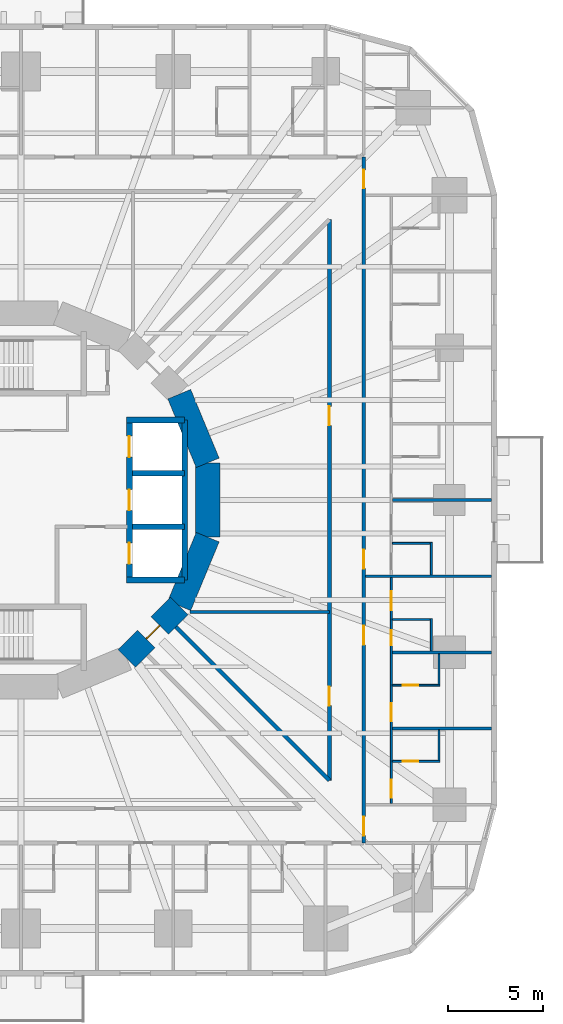
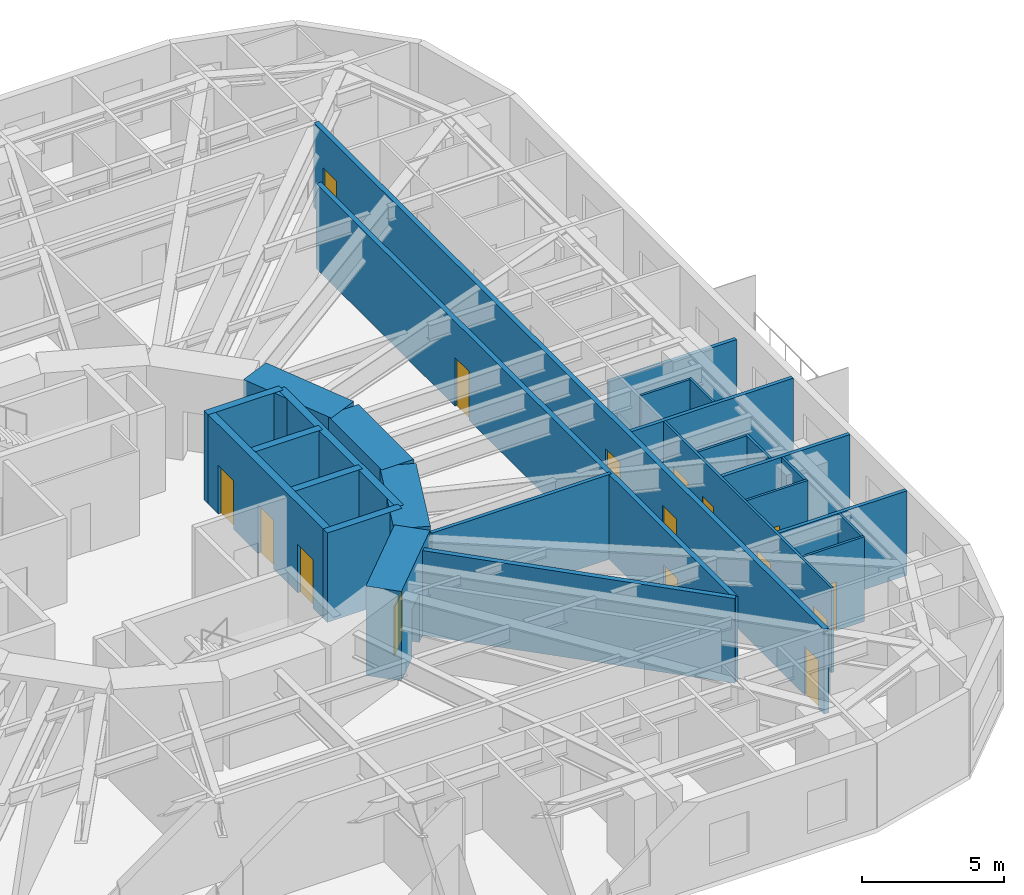
# One storey, part 8 of 14: 27 walls, 16 doors, 16 openings.
"""IFC4 building model written with IfcOpenShell, lengths in metres."""

from ifc_helpers import new_model, si_unit, direction, frame, frame_2d, origin, place, context, subcontext, project, spatial, rectangle, extrude, material, layer, layer_set, type_object, element, fill, save


model = new_model("IFC4")

# Units and contexts
model_context = context("Model", 3, precision=1e-05, world=origin(), true_north=direction((0.0, 1.0)))
body_context = subcontext(model_context, "Body", "Model", "MODEL_VIEW")
ifc_project = project(units=[si_unit("LENGTHUNIT", "METRE"), si_unit("AREAUNIT", "SQUARE_METRE"), si_unit("VOLUMEUNIT", "CUBIC_METRE"), si_unit("PLANEANGLEUNIT", "RADIAN"), si_unit("MASSUNIT", "GRAM", prefix="KILO")], contexts=[model_context])

# Site, building, storey
site_placement = place(None, origin())
site = spatial("IfcSite", under=ifc_project, at=site_placement, CompositionType="ELEMENT")
building_placement = place(site_placement, origin())
building = spatial("IfcBuilding", under=site, at=building_placement, Name="Nakasero Lantern House", CompositionType="ELEMENT")
storey_placement = place(building_placement, frame((0.0, 0.0, 50.64990234375)))
storey = spatial("IfcBuildingStorey", under=building, at=storey_placement, Name="L12", CompositionType="ELEMENT", Elevation=50.64990234375)

# Wall, openings, doors
ifc_material_1 = material(Name="Blockwork", Category="masonry")
ifc_layer_1 = layer(ifc_material_1, 0.10009765625)
ifc_layer_set_1 = layer_set([ifc_layer_1], Name="Cluster hall wall 100")
wall_type_1 = type_object("IfcWallType", Name="Cluster hall wall 100", PredefinedType="PARTITIONING", material=ifc_layer_set_1)
wall_1_placement = place(storey_placement, frame((19.449951171875, -15.925048828125, 0.0), z_axis=(0.0, 0.0, 1.0), x_axis=(0.0, 1.0, 0.0)))
wall_1 = element("IfcWall", 1, at=wall_1_placement, inside=storey, type_object=wall_type_1, Name="Cluster hall wall L12 HW0-0", PredefinedType="PARTITIONING", context=body_context, shape_type="SweptSolid", body=[
    extrude(rectangle(XDim=11.85009765625, YDim=0.10009765625, at=frame_2d((5.925048828125, 0.0))), origin(), (0.0, 0.0, 1.0), 3.650146484375),
])
opening_1_placement = place(wall_1_placement, frame((10.125, 0.0, 0.0)))
opening_1 = element("IfcOpeningElement", 2, at=opening_1_placement, cuts=wall_1, Name="Opening D03", PredefinedType="OPENING", context=body_context, shape_type="SweptSolid", body=[
    extrude(rectangle(XDim=1.0, YDim=2.10009765625, at=frame_2d((0.5, 1.050048828125))), frame((0.0, 0.070068359375, 0.0), z_axis=(0.0, -1.0, 0.0), x_axis=(1.0, 0.0, 0.0)), (0.0, 0.0, 1.0), 0.14013671875),
])
opening_2_placement = place(wall_1_placement, frame((8.300048828125, 0.0, 0.0)))
opening_2 = element("IfcOpeningElement", 3, at=opening_2_placement, cuts=wall_1, Name="Opening D02", PredefinedType="OPENING", context=body_context, shape_type="SweptSolid", body=[
    extrude(rectangle(XDim=0.800048828125, YDim=2.10009765625, at=frame_2d((0.39990234375, 1.050048828125))), frame((0.0, 0.070068359375, 0.0), z_axis=(0.0, -1.0, 0.0), x_axis=(1.0, 0.0, 0.0)), (0.0, 0.0, 1.0), 0.14013671875),
])
opening_3_placement = place(wall_1_placement, frame((0.300048828125, 0.0, 0.0)))
opening_3 = element("IfcOpeningElement", 4, at=opening_3_placement, cuts=wall_1, Name="Opening D01", PredefinedType="OPENING", context=body_context, shape_type="SweptSolid", body=[
    extrude(rectangle(XDim=0.949951171875, YDim=2.10009765625, at=frame_2d((0.47509765625, 1.050048828125))), frame((0.0, 0.070068359375, 0.0), z_axis=(0.0, -1.0, 0.0), x_axis=(1.0, 0.0, 0.0)), (0.0, 0.0, 1.0), 0.14013671875),
])
opening_4_placement = place(wall_1_placement, frame((4.300048828125, 0.0, 0.0)))
opening_4 = element("IfcOpeningElement", 5, at=opening_4_placement, cuts=wall_1, Name="Opening D01", PredefinedType="OPENING", context=body_context, shape_type="SweptSolid", body=[
    extrude(rectangle(XDim=0.949951171875, YDim=2.10009765625, at=frame_2d((0.47509765625, 1.050048828125))), frame((0.0, 0.070068359375, 0.0), z_axis=(0.0, -1.0, 0.0), x_axis=(1.0, 0.0, 0.0)), (0.0, 0.0, 1.0), 0.14013671875),
])
ifc_material_2 = material(Name="Timber C24", Category="wood")
door_type_1 = type_object("IfcDoorType", Name="Bedroom door FD30S 950", OperationType="SINGLE_SWING_LEFT", PredefinedType="DOOR", material=ifc_material_2)
door_1_placement = place(opening_3_placement, origin())
door_1 = element("IfcDoor", 6, at=door_1_placement, inside=storey, type_object=door_type_1, Name="Door L12 D0-01", OperationType="SINGLE_SWING_LEFT", OverallHeight=2.10009765625, OverallWidth=0.949951171875, PredefinedType="DOOR", context=body_context, shape_type="SweptSolid", body=[
    extrude(rectangle(XDim=0.949951171875, YDim=2.10009765625, at=frame_2d((0.47509765625, 1.050048828125))), frame((0.0, 0.02490234375, 0.0), z_axis=(0.0, -1.0, 0.0), x_axis=(1.0, 0.0, 0.0)), (0.0, 0.0, 1.0), 0.050048828125),
])
fill(opening_3, door_1)
door_2_placement = place(opening_4_placement, origin())
door_2 = element("IfcDoor", 7, at=door_2_placement, inside=storey, type_object=door_type_1, Name="Door L12 D0-02", OperationType="SINGLE_SWING_LEFT", OverallHeight=2.10009765625, OverallWidth=0.949951171875, PredefinedType="DOOR", context=body_context, shape_type="SweptSolid", body=[
    extrude(rectangle(XDim=0.949951171875, YDim=2.10009765625, at=frame_2d((0.47509765625, 1.050048828125))), frame((0.0, 0.02490234375, 0.0), z_axis=(0.0, -1.0, 0.0), x_axis=(1.0, 0.0, 0.0)), (0.0, 0.0, 1.0), 0.050048828125),
])
fill(opening_4, door_2)
ifc_material_3 = material(Name="Timber C24", Category="wood")
door_type_2 = type_object("IfcDoorType", Name="En-suite door 800", OperationType="SINGLE_SWING_RIGHT", PredefinedType="DOOR", material=ifc_material_3)
door_3_placement = place(opening_2_placement, origin())
door_3 = element("IfcDoor", 8, at=door_3_placement, inside=storey, type_object=door_type_2, Name="Door L12 DSH0-0", OperationType="SINGLE_SWING_RIGHT", OverallHeight=2.10009765625, OverallWidth=0.800048828125, PredefinedType="DOOR", context=body_context, shape_type="SweptSolid", body=[
    extrude(rectangle(XDim=0.800048828125, YDim=2.10009765625, at=frame_2d((0.39990234375, 1.050048828125))), frame((0.0, 0.02490234375, 0.0), z_axis=(0.0, -1.0, 0.0), x_axis=(1.0, 0.0, 0.0)), (0.0, 0.0, 1.0), 0.050048828125),
])
fill(opening_2, door_3)
ifc_material_4 = material(Name="Timber C24", Category="wood")
door_type_3 = type_object("IfcDoorType", Name="Lounge door FD30S 1000", OperationType="SINGLE_SWING_LEFT", PredefinedType="DOOR", material=ifc_material_4)
door_4_placement = place(opening_1_placement, origin())
door_4 = element("IfcDoor", 9, at=door_4_placement, inside=storey, type_object=door_type_3, Name="Door L12 DH0-0", OperationType="SINGLE_SWING_RIGHT", OverallHeight=2.10009765625, OverallWidth=1.0, PredefinedType="DOOR", context=body_context, shape_type="SweptSolid", body=[
    extrude(rectangle(XDim=1.0, YDim=2.10009765625, at=frame_2d((0.5, 1.050048828125))), frame((0.0, 0.02490234375, 0.0), z_axis=(0.0, -1.0, 0.0), x_axis=(1.0, 0.0, 0.0)), (0.0, 0.0, 1.0), 0.050048828125),
])
fill(opening_1, door_4)

ifc_material_5 = material(Name="Concrete C50/60", Category="concrete")
ifc_layer_2 = layer(ifc_material_5, 0.300048828125)
ifc_layer_set_2 = layer_set([ifc_layer_2], Name="Core inner wall 300")
wall_type_2 = type_object("IfcWallType", Name="Core inner wall 300", PredefinedType="SHEAR", material=ifc_layer_set_2)
wall_2_placement = place(storey_placement, frame((5.699951171875, -4.199951171875, 0.0), z_axis=(0.0, 0.0, 1.0), x_axis=(0.0, 1.0, 0.0)))
wall_2 = element("IfcWall", 10, at=wall_2_placement, inside=storey, type_object=wall_type_2, Name="Core inner wall L12 LE", PredefinedType="SHEAR", context=body_context, shape_type="SweptSolid", body=[
    extrude(rectangle(XDim=8.39990234375, YDim=0.300048828125, at=frame_2d((4.199951171875, 0.0))), origin(), (0.0, 0.0, 1.0), 3.85009765625),
])
opening_5_placement = place(wall_2_placement, frame((0.85009765625, 0.0, 0.0)))
opening_5 = element("IfcOpeningElement", 11, at=opening_5_placement, cuts=wall_2, Name="Opening LD", PredefinedType="OPENING", context=body_context, shape_type="SweptSolid", body=[
    extrude(rectangle(XDim=1.10009765625, YDim=2.10009765625, at=frame_2d((0.550048828125, 1.050048828125))), frame((0.0, 0.169921875, 0.0), z_axis=(0.0, -1.0, 0.0), x_axis=(1.0, 0.0, 0.0)), (0.0, 0.0, 1.0), 0.340087890625),
])
opening_6_placement = place(wall_2_placement, frame((3.64990234375, 0.0, 0.0)))
opening_6 = element("IfcOpeningElement", 12, at=opening_6_placement, cuts=wall_2, Name="Opening LD", PredefinedType="OPENING", context=body_context, shape_type="SweptSolid", body=[
    extrude(rectangle(XDim=1.10009765625, YDim=2.10009765625, at=frame_2d((0.550048828125, 1.050048828125))), frame((0.0, 0.169921875, 0.0), z_axis=(0.0, -1.0, 0.0), x_axis=(1.0, 0.0, 0.0)), (0.0, 0.0, 1.0), 0.340087890625),
])
opening_7_placement = place(wall_2_placement, frame((6.449951171875, 0.0, 0.0)))
opening_7 = element("IfcOpeningElement", 13, at=opening_7_placement, cuts=wall_2, Name="Opening LD", PredefinedType="OPENING", context=body_context, shape_type="SweptSolid", body=[
    extrude(rectangle(XDim=1.10009765625, YDim=2.10009765625, at=frame_2d((0.550048828125, 1.050048828125))), frame((0.0, 0.169921875, 0.0), z_axis=(0.0, -1.0, 0.0), x_axis=(1.0, 0.0, 0.0)), (0.0, 0.0, 1.0), 0.340087890625),
])
ifc_material_6 = material(Name="Steel S355", Category="steel")
door_type_4 = type_object("IfcDoorType", Name="Lift landing door E120 1100", OperationType="SLIDING_TO_LEFT", PredefinedType="DOOR", material=ifc_material_6)
door_5_placement = place(opening_5_placement, origin())
door_5 = element("IfcDoor", 14, at=door_5_placement, inside=storey, type_object=door_type_4, Name="Lift landing door LE1", OperationType="SLIDING_TO_LEFT", OverallHeight=2.10009765625, OverallWidth=1.10009765625, PredefinedType="DOOR", context=body_context, shape_type="SweptSolid", body=[
    extrude(rectangle(XDim=1.10009765625, YDim=2.10009765625, at=frame_2d((0.550048828125, 1.050048828125))), frame((0.0, 0.02490234375, 0.0), z_axis=(0.0, -1.0, 0.0), x_axis=(1.0, 0.0, 0.0)), (0.0, 0.0, 1.0), 0.050048828125),
])
fill(opening_5, door_5)
door_6_placement = place(opening_6_placement, origin())
door_6 = element("IfcDoor", 15, at=door_6_placement, inside=storey, type_object=door_type_4, Name="Lift landing door LE2", OperationType="SLIDING_TO_LEFT", OverallHeight=2.10009765625, OverallWidth=1.10009765625, PredefinedType="DOOR", context=body_context, shape_type="SweptSolid", body=[
    extrude(rectangle(XDim=1.10009765625, YDim=2.10009765625, at=frame_2d((0.550048828125, 1.050048828125))), frame((0.0, 0.02490234375, 0.0), z_axis=(0.0, -1.0, 0.0), x_axis=(1.0, 0.0, 0.0)), (0.0, 0.0, 1.0), 0.050048828125),
])
fill(opening_6, door_6)
door_7_placement = place(opening_7_placement, origin())
door_7 = element("IfcDoor", 16, at=door_7_placement, inside=storey, type_object=door_type_4, Name="Lift landing door LE3", OperationType="SLIDING_TO_LEFT", OverallHeight=2.10009765625, OverallWidth=1.10009765625, PredefinedType="DOOR", context=body_context, shape_type="SweptSolid", body=[
    extrude(rectangle(XDim=1.10009765625, YDim=2.10009765625, at=frame_2d((0.550048828125, 1.050048828125))), frame((0.0, 0.02490234375, 0.0), z_axis=(0.0, -1.0, 0.0), x_axis=(1.0, 0.0, 0.0)), (0.0, 0.0, 1.0), 0.050048828125),
])
fill(opening_7, door_7)

# Walls
for number, where, z_axis, x_axis, name in (
    (17, (5.550048828125, 4.199951171875, 0.0), (0.0, 0.0, 1.0), (1.0, 0.0, 0.0), "Core inner wall L12 LEN"),
    (18, (5.550048828125, -4.199951171875, 0.0), (0.0, 0.0, 1.0), (1.0, 0.0, 0.0), "Core inner wall L12 LES"),
):
    element("IfcWall", number, at=place(storey_placement, frame(where, z_axis=z_axis, x_axis=x_axis)), inside=storey, type_object=wall_type_2, Name=name, PredefinedType="SHEAR", context=body_context, shape_type="SweptSolid", body=[
        extrude(rectangle(XDim=3.050048828125, YDim=0.300048828125, at=frame_2d((1.52490234375, 0.0))), origin(), (0.0, 0.0, 1.0), 3.85009765625),
    ])
wall_3_placement = place(storey_placement, frame((8.60009765625, -4.199951171875, 0.0), z_axis=(0.0, 0.0, 1.0), x_axis=(0.0, 1.0, 0.0)))
element("IfcWall", 19, at=wall_3_placement, inside=storey, type_object=wall_type_2, Name="Core inner wall L12 LEB", PredefinedType="SHEAR", context=body_context, shape_type="SweptSolid", body=[
    extrude(rectangle(XDim=8.39990234375, YDim=0.300048828125, at=frame_2d((4.199951171875, 0.0))), origin(), (0.0, 0.0, 1.0), 3.85009765625),
])
for number, where, z_axis, x_axis, name in (
    (20, (5.85009765625, -1.39990234375, 0.0), (0.0, 0.0, 1.0), (1.0, 0.0, 0.0), "Core inner wall L12 LE1"),
    (21, (5.85009765625, 1.39990234375, 0.0), (0.0, 0.0, 1.0), (1.0, 0.0, 0.0), "Core inner wall L12 LE2"),
):
    element("IfcWall", number, at=place(storey_placement, frame(where, z_axis=z_axis, x_axis=x_axis)), inside=storey, type_object=wall_type_2, Name=name, PredefinedType="SHEAR", context=body_context, shape_type="SweptSolid", body=[
        extrude(rectangle(XDim=2.75, YDim=0.300048828125, at=frame_2d((1.375, 0.0))), origin(), (0.0, 0.0, 1.0), 3.85009765625),
    ])
ifc_material_7 = material(Name="Concrete C50/60", Category="concrete")
ifc_layer_3 = layer(ifc_material_7, 1.300048828125)
ifc_layer_set_3 = layer_set([ifc_layer_3], Name="Core wall 1300")
wall_type_3 = type_object("IfcWallType", Name="Core wall 1300", PredefinedType="SHEAR", material=ifc_layer_set_3)
wall_4_placement = place(storey_placement, frame((9.807861328125, 1.950927734375, 0.0), z_axis=(0.0, 0.0, 1.0), x_axis=(-0.382690736062, 0.923876507187, 0.0)))
element("IfcWall", 22, at=wall_4_placement, inside=storey, type_object=wall_type_3, Name="Core wall L12 facet 1", PredefinedType="SHEAR", context=body_context, shape_type="SweptSolid", body=[
    extrude(rectangle(XDim=3.90185546875, YDim=1.300048828125, at=frame_2d((1.950927734375, 0.0))), origin(), (0.0, 0.0, 1.0), 3.85009765625),
])

# Wall, opening, door
wall_5_placement = place(storey_placement, frame((5.5556640625, -8.314697265625, 0.0), z_axis=(0.0, 0.0, 1.0), x_axis=(0.707106781187, 0.707106781187, 0.0)))
wall_5 = element("IfcWall", 23, at=wall_5_placement, inside=storey, type_object=wall_type_3, Name="Core wall L12 facet 14", PredefinedType="SHEAR", context=body_context, shape_type="SweptSolid", body=[
    extrude(rectangle(XDim=3.90185546875, YDim=1.300048828125, at=frame_2d((1.950927734375, 0.0))), origin(), (0.0, 0.0, 1.0), 3.85009765625),
])
opening_8_placement = place(wall_5_placement, frame((1.450927734375, 0.0, 0.0)))
opening_8 = element("IfcOpeningElement", 24, at=opening_8_placement, cuts=wall_5, Name="Opening D05", PredefinedType="OPENING", context=body_context, shape_type="SweptSolid", body=[
    extrude(rectangle(XDim=1.0, YDim=2.10009765625, at=frame_2d((0.5, 1.050048828125))), frame((0.0, 0.669921875, 0.0), z_axis=(0.0, -1.0, 0.0), x_axis=(1.0, 0.0, 0.0)), (0.0, 0.0, 1.0), 1.340087890625),
])
ifc_material_8 = material(Name="Timber C24", Category="wood")
door_type_5 = type_object("IfcDoorType", Name="Core door FD60S 1000", OperationType="SINGLE_SWING_LEFT", PredefinedType="DOOR", material=ifc_material_8)
door_8_placement = place(opening_8_placement, origin())
door_8 = element("IfcDoor", 25, at=door_8_placement, inside=storey, type_object=door_type_5, Name="Door L12 D-CORE14", OperationType="SINGLE_SWING_LEFT", OverallHeight=2.10009765625, OverallWidth=1.0, PredefinedType="DOOR", context=body_context, shape_type="SweptSolid", body=[
    extrude(rectangle(XDim=1.0, YDim=2.10009765625, at=frame_2d((0.5, 1.050048828125))), frame((0.0, 0.02490234375, 0.0), z_axis=(0.0, -1.0, 0.0), x_axis=(1.0, 0.0, 0.0)), (0.0, 0.0, 1.0), 0.050048828125),
])
fill(opening_8, door_8)

# Walls
for number, where, z_axis, x_axis, name in (
    (26, (8.314697265625, -5.5556640625, 0.0), (0.0, 0.0, 1.0), (0.382690736062, 0.923876507187, 0.0), "Core wall L12 facet 15"),
    (27, (9.807861328125, -1.950927734375, 0.0), (0.0, 0.0, 1.0), (0.0, 1.0, 0.0), "Core wall L12 facet 16"),
):
    element("IfcWall", number, at=place(storey_placement, frame(where, z_axis=z_axis, x_axis=x_axis)), inside=storey, type_object=wall_type_3, Name=name, PredefinedType="SHEAR", context=body_context, shape_type="SweptSolid", body=[
        extrude(rectangle(XDim=3.90185546875, YDim=1.300048828125, at=frame_2d((1.950927734375, 0.0))), origin(), (0.0, 0.0, 1.0), 3.85009765625),
    ])

# Wall, openings, doors
ifc_material_9 = material(Name="Blockwork", Category="masonry")
ifc_layer_4 = layer(ifc_material_9, 0.199951171875)
ifc_layer_set_4 = layer_set([ifc_layer_4], Name="Corridor wall 200")
wall_type_4 = type_object("IfcWallType", Name="Corridor wall 200", PredefinedType="PARTITIONING", material=ifc_layer_set_4)
wall_6_placement = place(storey_placement, frame((18.0, -18.0, 0.0), z_axis=(0.0, 0.0, 1.0), x_axis=(0.0, 1.0, 0.0)))
wall_6 = element("IfcWall", 28, at=wall_6_placement, inside=storey, type_object=wall_type_4, Name="Corridor wall L12 CW0", PredefinedType="PARTITIONING", context=body_context, shape_type="SweptSolid", body=[
    extrude(rectangle(XDim=36.0, YDim=0.199951171875, at=frame_2d((18.0, 0.0))), origin(), (0.0, 0.0, 1.0), 3.650146484375),
])
opening_9_placement = place(wall_6_placement, frame((10.39990234375, 0.0, 0.0)))
opening_9 = element("IfcOpeningElement", 29, at=opening_9_placement, cuts=wall_6, Name="Opening D14", PredefinedType="OPENING", context=body_context, shape_type="SweptSolid", body=[
    extrude(rectangle(XDim=1.0, YDim=2.10009765625, at=frame_2d((0.5, 1.050048828125))), frame((0.0, 0.119873046875, 0.0), z_axis=(0.0, -1.0, 0.0), x_axis=(1.0, 0.0, 0.0)), (0.0, 0.0, 1.0), 0.239990234375),
])
opening_10_placement = place(wall_6_placement, frame((14.39990234375, 0.0, 0.0)))
opening_10 = element("IfcOpeningElement", 30, at=opening_10_placement, cuts=wall_6, Name="Opening D14", PredefinedType="OPENING", context=body_context, shape_type="SweptSolid", body=[
    extrude(rectangle(XDim=1.0, YDim=2.10009765625, at=frame_2d((0.5, 1.050048828125))), frame((0.0, 0.119873046875, 0.0), z_axis=(0.0, -1.0, 0.0), x_axis=(1.0, 0.0, 0.0)), (0.0, 0.0, 1.0), 0.239990234375),
])
opening_11_placement = place(wall_6_placement, frame((0.375, 0.0, 0.0)))
opening_11 = element("IfcOpeningElement", 31, at=opening_11_placement, cuts=wall_6, Name="Opening D07", PredefinedType="OPENING", context=body_context, shape_type="SweptSolid", body=[
    extrude(rectangle(XDim=1.0, YDim=2.10009765625, at=frame_2d((0.5, 1.050048828125))), frame((0.0, 0.119873046875, 0.0), z_axis=(0.0, -1.0, 0.0), x_axis=(1.0, 0.0, 0.0)), (0.0, 0.0, 1.0), 0.239990234375),
])
opening_12_placement = place(wall_6_placement, frame((34.375, 0.0, 0.0)))
opening_12 = element("IfcOpeningElement", 32, at=opening_12_placement, cuts=wall_6, Name="Opening D01", PredefinedType="OPENING", context=body_context, shape_type="SweptSolid", body=[
    extrude(rectangle(XDim=0.949951171875, YDim=2.10009765625, at=frame_2d((0.47509765625, 1.050048828125))), frame((0.0, 0.119873046875, 0.0), z_axis=(0.0, -1.0, 0.0), x_axis=(1.0, 0.0, 0.0)), (0.0, 0.0, 1.0), 0.239990234375),
])
door_9_placement = place(opening_12_placement, origin())
door_9 = element("IfcDoor", 33, at=door_9_placement, inside=storey, type_object=door_type_1, Name="Door L12 D0-09", OperationType="SINGLE_SWING_RIGHT", OverallHeight=2.10009765625, OverallWidth=0.949951171875, PredefinedType="DOOR", context=body_context, shape_type="SweptSolid", body=[
    extrude(rectangle(XDim=0.949951171875, YDim=2.10009765625, at=frame_2d((0.47509765625, 1.050048828125))), frame((0.0, 0.02490234375, 0.0), z_axis=(0.0, -1.0, 0.0), x_axis=(1.0, 0.0, 0.0)), (0.0, 0.0, 1.0), 0.050048828125),
])
fill(opening_12, door_9)
ifc_material_10 = material(Name="Timber C24", Category="wood")
door_type_6 = type_object("IfcDoorType", Name="Cluster entrance door FD30S 1000", OperationType="SINGLE_SWING_LEFT", PredefinedType="DOOR", material=ifc_material_10)
door_10_placement = place(opening_9_placement, origin())
door_10 = element("IfcDoor", 34, at=door_10_placement, inside=storey, type_object=door_type_6, Name="Door L12 DF0-0", OperationType="SINGLE_SWING_LEFT", OverallHeight=2.10009765625, OverallWidth=1.0, PredefinedType="DOOR", context=body_context, shape_type="SweptSolid", body=[
    extrude(rectangle(XDim=1.0, YDim=2.10009765625, at=frame_2d((0.5, 1.050048828125))), frame((0.0, 0.02490234375, 0.0), z_axis=(0.0, -1.0, 0.0), x_axis=(1.0, 0.0, 0.0)), (0.0, 0.0, 1.0), 0.050048828125),
])
fill(opening_9, door_10)
door_11_placement = place(opening_10_placement, origin())
door_11 = element("IfcDoor", 35, at=door_11_placement, inside=storey, type_object=door_type_6, Name="Door L12 DF0-1", OperationType="SINGLE_SWING_LEFT", OverallHeight=2.10009765625, OverallWidth=1.0, PredefinedType="DOOR", context=body_context, shape_type="SweptSolid", body=[
    extrude(rectangle(XDim=1.0, YDim=2.10009765625, at=frame_2d((0.5, 1.050048828125))), frame((0.0, 0.02490234375, 0.0), z_axis=(0.0, -1.0, 0.0), x_axis=(1.0, 0.0, 0.0)), (0.0, 0.0, 1.0), 0.050048828125),
])
fill(opening_10, door_11)
ifc_material_11 = material(Name="Timber C24", Category="wood")
door_type_7 = type_object("IfcDoorType", Name="Room door FD30S 1000", OperationType="SINGLE_SWING_LEFT", PredefinedType="DOOR", material=ifc_material_11)
door_12_placement = place(opening_11_placement, origin())
door_12 = element("IfcDoor", 36, at=door_12_placement, inside=storey, type_object=door_type_7, Name="Door L12 D0-00", OperationType="SINGLE_SWING_LEFT", OverallHeight=2.10009765625, OverallWidth=1.0, PredefinedType="DOOR", context=body_context, shape_type="SweptSolid", body=[
    extrude(rectangle(XDim=1.0, YDim=2.10009765625, at=frame_2d((0.5, 1.050048828125))), frame((0.0, 0.02490234375, 0.0), z_axis=(0.0, -1.0, 0.0), x_axis=(1.0, 0.0, 0.0)), (0.0, 0.0, 1.0), 0.050048828125),
])
fill(opening_11, door_12)

wall_7_placement = place(storey_placement, frame((16.199951171875, -14.715087890625, 0.0), z_axis=(0.0, 0.0, 1.0), x_axis=(0.0, 1.0, 0.0)))
wall_7 = element("IfcWall", 37, at=wall_7_placement, inside=storey, type_object=wall_type_4, Name="Corridor wall L12 IW0-0", PredefinedType="PARTITIONING", context=body_context, shape_type="SweptSolid", body=[
    extrude(rectangle(XDim=29.43017578125, YDim=0.199951171875, at=frame_2d((14.715087890625, 0.0))), origin(), (0.0, 0.0, 1.0), 3.650146484375),
])
opening_13_placement = place(wall_7_placement, frame((3.91455078125, 0.0, 0.0)))
opening_13 = element("IfcOpeningElement", 38, at=opening_13_placement, cuts=wall_7, Name="Opening D07", PredefinedType="OPENING", context=body_context, shape_type="SweptSolid", body=[
    extrude(rectangle(XDim=1.0, YDim=2.10009765625, at=frame_2d((0.5, 1.050048828125))), frame((0.0, 0.119873046875, 0.0), z_axis=(0.0, -1.0, 0.0), x_axis=(1.0, 0.0, 0.0)), (0.0, 0.0, 1.0), 0.239990234375),
])
opening_14_placement = place(wall_7_placement, frame((18.629638671875, 0.0, 0.0)))
opening_14 = element("IfcOpeningElement", 39, at=opening_14_placement, cuts=wall_7, Name="Opening D07", PredefinedType="OPENING", context=body_context, shape_type="SweptSolid", body=[
    extrude(rectangle(XDim=1.0, YDim=2.10009765625, at=frame_2d((0.5, 1.050048828125))), frame((0.0, 0.119873046875, 0.0), z_axis=(0.0, -1.0, 0.0), x_axis=(1.0, 0.0, 0.0)), (0.0, 0.0, 1.0), 0.239990234375),
])
door_13_placement = place(opening_13_placement, origin())
door_13 = element("IfcDoor", 40, at=door_13_placement, inside=storey, type_object=door_type_7, Name="Door L12 DI1", OperationType="SINGLE_SWING_LEFT", OverallHeight=2.10009765625, OverallWidth=1.0, PredefinedType="DOOR", context=body_context, shape_type="SweptSolid", body=[
    extrude(rectangle(XDim=1.0, YDim=2.10009765625, at=frame_2d((0.5, 1.050048828125))), frame((0.0, 0.02490234375, 0.0), z_axis=(0.0, -1.0, 0.0), x_axis=(1.0, 0.0, 0.0)), (0.0, 0.0, 1.0), 0.050048828125),
])
fill(opening_13, door_13)
door_14_placement = place(opening_14_placement, origin())
door_14 = element("IfcDoor", 41, at=door_14_placement, inside=storey, type_object=door_type_7, Name="Door L12 DI1S", OperationType="SINGLE_SWING_RIGHT", OverallHeight=2.10009765625, OverallWidth=1.0, PredefinedType="DOOR", context=body_context, shape_type="SweptSolid", body=[
    extrude(rectangle(XDim=1.0, YDim=2.10009765625, at=frame_2d((0.5, 1.050048828125))), frame((0.0, 0.02490234375, 0.0), z_axis=(0.0, -1.0, 0.0), x_axis=(1.0, 0.0, 0.0)), (0.0, 0.0, 1.0), 0.050048828125),
])
fill(opening_14, door_14)

# Walls
wall_8_placement = place(storey_placement, frame((8.13720703125, -6.65234375, 0.0), z_axis=(0.0, 0.0, 1.0), x_axis=(0.707106781187, -0.707106781187, 0.0)))
element("IfcWall", 42, at=wall_8_placement, inside=storey, type_object=wall_type_4, Name="Corridor wall L12 PS14a", PredefinedType="PARTITIONING", context=body_context, shape_type="SweptSolid", body=[
    extrude(rectangle(XDim=11.40234375, YDim=0.199951171875, at=frame_2d((5.701171875, 0.0))), origin(), (0.0, 0.0, 1.0), 3.650146484375),
])
ifc_material_12 = material(Name="Blockwork", Category="masonry")
ifc_layer_5 = layer(ifc_material_12, 0.10009765625)
ifc_layer_set_5 = layer_set([ifc_layer_5], Name="En-suite wall 100")
wall_type_5 = type_object("IfcWallType", Name="En-suite wall 100", PredefinedType="PARTITIONING", material=ifc_layer_set_5)
wall_9_placement = place(storey_placement, frame((19.5, -6.27490234375, 0.0), z_axis=(0.0, 0.0, 1.0), x_axis=(1.0, 0.0, 0.0)))
element("IfcWall", 43, at=wall_9_placement, inside=storey, type_object=wall_type_5, Name="En-suite wall L12 SS0-0", PredefinedType="PARTITIONING", context=body_context, shape_type="SweptSolid", body=[
    extrude(rectangle(XDim=2.10009765625, YDim=0.10009765625, at=frame_2d((1.050048828125, 0.0))), origin(), (0.0, 0.0, 1.0), 3.650146484375),
])
wall_10_placement = place(storey_placement, frame((21.550048828125, -7.925048828125, 0.0), z_axis=(0.0, 0.0, 1.0), x_axis=(0.0, 1.0, 0.0)))
element("IfcWall", 44, at=wall_10_placement, inside=storey, type_object=wall_type_5, Name="En-suite wall L12 SE0-0", PredefinedType="PARTITIONING", context=body_context, shape_type="SweptSolid", body=[
    extrude(rectangle(XDim=1.699951171875, YDim=0.10009765625, at=frame_2d((0.85009765625, 0.0))), origin(), (0.0, 0.0, 1.0), 3.650146484375),
])
wall_11_placement = place(storey_placement, frame((19.5, -2.27490234375, 0.0), z_axis=(0.0, 0.0, 1.0), x_axis=(1.0, 0.0, 0.0)))
element("IfcWall", 45, at=wall_11_placement, inside=storey, type_object=wall_type_5, Name="En-suite wall L12 SS0-1", PredefinedType="PARTITIONING", context=body_context, shape_type="SweptSolid", body=[
    extrude(rectangle(XDim=2.10009765625, YDim=0.10009765625, at=frame_2d((1.050048828125, 0.0))), origin(), (0.0, 0.0, 1.0), 3.650146484375),
])
wall_12_placement = place(storey_placement, frame((21.550048828125, -3.925048828125, 0.0), z_axis=(0.0, 0.0, 1.0), x_axis=(0.0, 1.0, 0.0)))
element("IfcWall", 46, at=wall_12_placement, inside=storey, type_object=wall_type_5, Name="En-suite wall L12 SE0-1", PredefinedType="PARTITIONING", context=body_context, shape_type="SweptSolid", body=[
    extrude(rectangle(XDim=1.699951171875, YDim=0.10009765625, at=frame_2d((0.85009765625, 0.0))), origin(), (0.0, 0.0, 1.0), 3.650146484375),
])

# Wall, opening, door
wall_13_placement = place(storey_placement, frame((19.5, -13.72509765625, 0.0), z_axis=(0.0, 0.0, 1.0), x_axis=(1.0, 0.0, 0.0)))
wall_13 = element("IfcWall", 47, at=wall_13_placement, inside=storey, type_object=wall_type_5, Name="En-suite wall L12 ES0-01", PredefinedType="PARTITIONING", context=body_context, shape_type="SweptSolid", body=[
    extrude(rectangle(XDim=2.5, YDim=0.10009765625, at=frame_2d((1.25, 0.0))), origin(), (0.0, 0.0, 1.0), 3.650146484375),
])
opening_15_placement = place(wall_13_placement, frame((0.550048828125, 0.0, 0.0)))
opening_15 = element("IfcOpeningElement", 48, at=opening_15_placement, cuts=wall_13, Name="Opening D02", PredefinedType="OPENING", context=body_context, shape_type="SweptSolid", body=[
    extrude(rectangle(XDim=0.800048828125, YDim=2.10009765625, at=frame_2d((0.39990234375, 1.050048828125))), frame((0.0, 0.070068359375, 0.0), z_axis=(0.0, -1.0, 0.0), x_axis=(1.0, 0.0, 0.0)), (0.0, 0.0, 1.0), 0.14013671875),
])
door_15_placement = place(opening_15_placement, origin())
door_15 = element("IfcDoor", 49, at=door_15_placement, inside=storey, type_object=door_type_2, Name="Door L12 DE0-01", OperationType="SINGLE_SWING_LEFT", OverallHeight=2.10009765625, OverallWidth=0.800048828125, PredefinedType="DOOR", context=body_context, shape_type="SweptSolid", body=[
    extrude(rectangle(XDim=0.800048828125, YDim=2.10009765625, at=frame_2d((0.39990234375, 1.050048828125))), frame((0.0, 0.02490234375, 0.0), z_axis=(0.0, -1.0, 0.0), x_axis=(1.0, 0.0, 0.0)), (0.0, 0.0, 1.0), 0.050048828125),
])
fill(opening_15, door_15)

# Wall
wall_14_placement = place(storey_placement, frame((21.949951171875, -13.675048828125, 0.0), z_axis=(0.0, 0.0, 1.0), x_axis=(0.0, 1.0, 0.0)))
element("IfcWall", 50, at=wall_14_placement, inside=storey, type_object=wall_type_5, Name="En-suite wall L12 EE0-01", PredefinedType="PARTITIONING", context=body_context, shape_type="SweptSolid", body=[
    extrude(rectangle(XDim=1.60009765625, YDim=0.10009765625, at=frame_2d((0.800048828125, 0.0))), origin(), (0.0, 0.0, 1.0), 3.650146484375),
])

# Wall, opening, door
wall_15_placement = place(storey_placement, frame((19.5, -9.72509765625, 0.0), z_axis=(0.0, 0.0, 1.0), x_axis=(1.0, 0.0, 0.0)))
wall_15 = element("IfcWall", 51, at=wall_15_placement, inside=storey, type_object=wall_type_5, Name="En-suite wall L12 ES0-02", PredefinedType="PARTITIONING", context=body_context, shape_type="SweptSolid", body=[
    extrude(rectangle(XDim=2.5, YDim=0.10009765625, at=frame_2d((1.25, 0.0))), origin(), (0.0, 0.0, 1.0), 3.650146484375),
])
opening_16_placement = place(wall_15_placement, frame((0.550048828125, 0.0, 0.0)))
opening_16 = element("IfcOpeningElement", 52, at=opening_16_placement, cuts=wall_15, Name="Opening D02", PredefinedType="OPENING", context=body_context, shape_type="SweptSolid", body=[
    extrude(rectangle(XDim=0.800048828125, YDim=2.10009765625, at=frame_2d((0.39990234375, 1.050048828125))), frame((0.0, 0.070068359375, 0.0), z_axis=(0.0, -1.0, 0.0), x_axis=(1.0, 0.0, 0.0)), (0.0, 0.0, 1.0), 0.14013671875),
])
door_16_placement = place(opening_16_placement, origin())
door_16 = element("IfcDoor", 53, at=door_16_placement, inside=storey, type_object=door_type_2, Name="Door L12 DE0-02", OperationType="SINGLE_SWING_LEFT", OverallHeight=2.10009765625, OverallWidth=0.800048828125, PredefinedType="DOOR", context=body_context, shape_type="SweptSolid", body=[
    extrude(rectangle(XDim=0.800048828125, YDim=2.10009765625, at=frame_2d((0.39990234375, 1.050048828125))), frame((0.0, 0.02490234375, 0.0), z_axis=(0.0, -1.0, 0.0), x_axis=(1.0, 0.0, 0.0)), (0.0, 0.0, 1.0), 0.050048828125),
])
fill(opening_16, door_16)

# Walls
wall_16_placement = place(storey_placement, frame((21.949951171875, -9.675048828125, 0.0), z_axis=(0.0, 0.0, 1.0), x_axis=(0.0, 1.0, 0.0)))
element("IfcWall", 54, at=wall_16_placement, inside=storey, type_object=wall_type_5, Name="En-suite wall L12 EE0-02", PredefinedType="PARTITIONING", context=body_context, shape_type="SweptSolid", body=[
    extrude(rectangle(XDim=1.60009765625, YDim=0.10009765625, at=frame_2d((0.800048828125, 0.0))), origin(), (0.0, 0.0, 1.0), 3.650146484375),
])
ifc_material_13 = material(Name="Blockwork", Category="masonry")
ifc_layer_6 = layer(ifc_material_13, 0.14990234375)
ifc_layer_set_6 = layer_set([ifc_layer_6], Name="Party wall 150")
wall_type_6 = type_object("IfcWallType", Name="Party wall 150", PredefinedType="PARTITIONING", material=ifc_layer_set_6)
for number, where, z_axis, x_axis, name in (
    (55, (19.5, -12.0, 0.0), (0.0, 0.0, 1.0), (1.0, 0.0, 0.0), "Party wall L12 PW0-02"),
    (56, (19.5, -8.0, 0.0), (0.0, 0.0, 1.0), (1.0, 0.0, 0.0), "Party wall L12 PW0-03"),
):
    element("IfcWall", number, at=place(storey_placement, frame(where, z_axis=z_axis, x_axis=x_axis)), inside=storey, type_object=wall_type_6, Name=name, PredefinedType="PARTITIONING", context=body_context, shape_type="SweptSolid", body=[
        extrude(rectangle(XDim=5.199951171875, YDim=0.14990234375, at=frame_2d((2.60009765625, 0.0))), origin(), (0.0, 0.0, 1.0), 3.650146484375),
    ])
wall_17_placement = place(storey_placement, frame((18.10009765625, -4.0, 0.0), z_axis=(0.0, 0.0, 1.0), x_axis=(1.0, 0.0, 0.0)))
element("IfcWall", 57, at=wall_17_placement, inside=storey, type_object=wall_type_6, Name="Party wall L12 PW0-04", PredefinedType="PARTITIONING", context=body_context, shape_type="SweptSolid", body=[
    extrude(rectangle(XDim=6.599853515625, YDim=0.14990234375, at=frame_2d((3.2998046875, 0.0))), origin(), (0.0, 0.0, 1.0), 3.650146484375),
])
wall_18_placement = place(storey_placement, frame((19.5, 0.0, 0.0), z_axis=(0.0, 0.0, 1.0), x_axis=(1.0, 0.0, 0.0)))
element("IfcWall", 58, at=wall_18_placement, inside=storey, type_object=wall_type_6, Name="Party wall L12 PW0-05", PredefinedType="PARTITIONING", context=body_context, shape_type="SweptSolid", body=[
    extrude(rectangle(XDim=5.199951171875, YDim=0.14990234375, at=frame_2d((2.60009765625, 0.0))), origin(), (0.0, 0.0, 1.0), 2.887939453125),
])
wall_19_placement = place(storey_placement, frame((8.88134765625, -5.885986328125, 0.0), z_axis=(0.0, 0.0, 1.0), x_axis=(1.0, 0.0, 0.0)))
element("IfcWall", 59, at=wall_19_placement, inside=storey, type_object=wall_type_6, Name="Party wall L12 IS1", PredefinedType="PARTITIONING", context=body_context, shape_type="SweptSolid", body=[
    extrude(rectangle(XDim=7.318603515625, YDim=0.14990234375, at=frame_2d((3.6591796875, 0.0))), origin(), (0.0, 0.0, 1.0), 3.650146484375),
])

save(model, "model.ifc")
